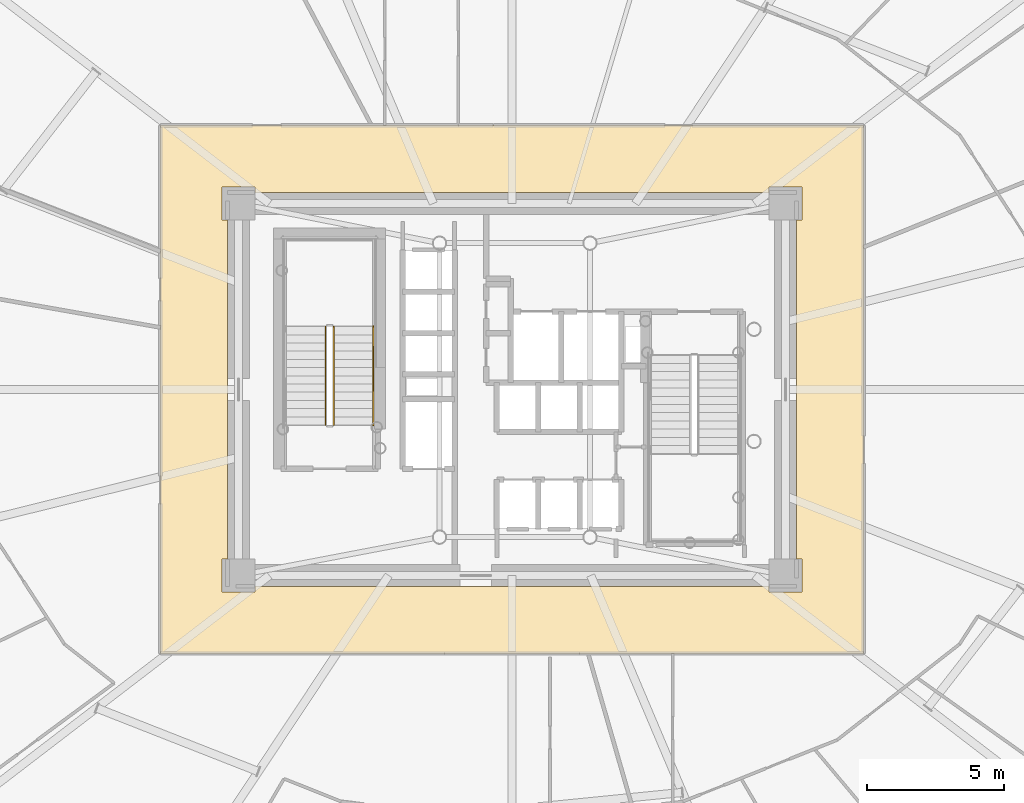
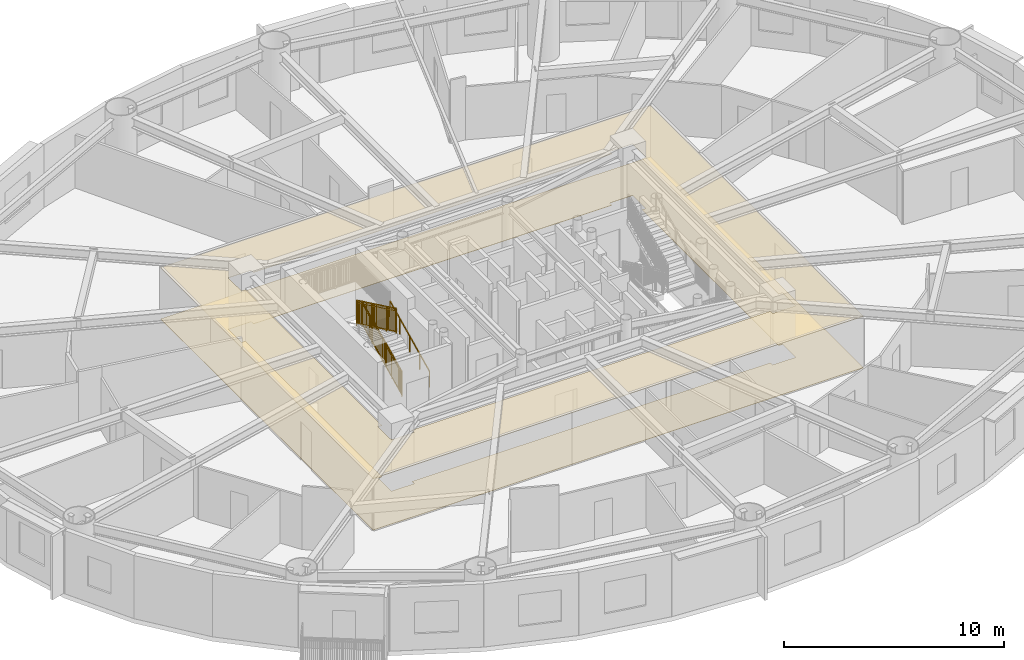
# One storey, part 18 of 22: 3 railings, 2 coverings.
"""IFC4 building model written with IfcOpenShell, lengths in metres."""

from ifc_helpers import new_model, si_unit, direction, frame, origin, origin_2d, place, context, subcontext, project, spatial, polyline, rectangle, outline, extrude, source, transform, mapped, material, layer, layer_set, type_object, element, save


model = new_model("IFC4")

# Units and contexts
model_context = context("Model", 3, precision=1e-05, world=origin(), true_north=direction((0.0, 1.0)))
body_context = subcontext(model_context, "Body", "Model", "MODEL_VIEW")
ifc_project = project(units=[si_unit("LENGTHUNIT", "METRE"), si_unit("AREAUNIT", "SQUARE_METRE"), si_unit("VOLUMEUNIT", "CUBIC_METRE"), si_unit("PLANEANGLEUNIT", "RADIAN"), si_unit("MASSUNIT", "GRAM", prefix="KILO")], contexts=[model_context])

# Site, building, storey
site_placement = place(None, origin())
site = spatial("IfcSite", under=ifc_project, at=site_placement, CompositionType="ELEMENT")
building_placement = place(site_placement, origin())
building = spatial("IfcBuilding", under=site, at=building_placement, Name="Linh Dai School and Residence Tower", CompositionType="ELEMENT")
storey_placement = place(building_placement, frame((0.0, 0.0, 130.949951171875)))
storey = spatial("IfcBuildingStorey", under=building, at=storey_placement, Name="L31", CompositionType="ELEMENT", Elevation=130.949951171875)

# Coverings
ifc_material_1 = material(Name="Mineral Fibre Acoustic Suspended Ceiling", Category="masonry")
ifc_layer_1 = layer(ifc_material_1, 0.02001953125)
ifc_layer_set_1 = layer_set([ifc_layer_1], Name="Mineral Fibre Acoustic Suspended Ceiling")
covering_type_1 = type_object("IfcCoveringType", Name="COV-CEIL-AC-20", PredefinedType="CEILING", material=ifc_layer_set_1)
covering_1_placement = place(storey_placement, frame((0.0, 0.0, 2.85009765625)))
element("IfcCovering", 1, at=covering_1_placement, inside=storey, type_object=covering_type_1, Name="L31 Residential Floor Corridor Suspended Ceiling", PredefinedType="CEILING", context=body_context, shape_type="SweptSolid", body=[
    extrude(outline(polyline([(48.85009765625, 36.64990234375), (48.85009765625, 17.35009765625), (23.14990234375, 17.35009765625), (23.14990234375, 36.64990234375), (48.85009765625, 36.64990234375)]), holes=[polyline([(26.60009765625, 34.199951171875), (26.60009765625, 34.39990234375), (25.39990234375, 34.39990234375), (25.39990234375, 33.199951171875), (25.60009765625, 33.199951171875), (25.60009765625, 20.800048828125), (25.39990234375, 20.800048828125), (25.39990234375, 19.60009765625), (26.60009765625, 19.60009765625), (26.60009765625, 19.800048828125), (45.39990234375, 19.800048828125), (45.39990234375, 19.60009765625), (46.60009765625, 19.60009765625), (46.60009765625, 20.800048828125), (46.39990234375, 20.800048828125), (46.39990234375, 33.199951171875), (46.60009765625, 33.199951171875), (46.60009765625, 34.39990234375), (45.39990234375, 34.39990234375), (45.39990234375, 34.199951171875), (26.60009765625, 34.199951171875)])]), origin(), (0.0, 0.0, 1.0), 0.02001953125),
])
ifc_material_2 = material(Name="Polished Terrazzo Floor Finish", Category="masonry")
ifc_layer_2 = layer(ifc_material_2, 0.02490234375)
ifc_layer_set_2 = layer_set([ifc_layer_2], Name="Polished Terrazzo Floor Finish")
covering_type_2 = type_object("IfcCoveringType", Name="COV-FLR-TRZ-25", PredefinedType="FLOORING", material=ifc_layer_set_2)
covering_2_placement = place(storey_placement, origin())
element("IfcCovering", 2, at=covering_2_placement, inside=storey, type_object=covering_type_2, Name="L31 Residential Floor Corridor Floor Finish", PredefinedType="FLOORING", context=body_context, shape_type="SweptSolid", body=[
    extrude(outline(polyline([(48.85009765625, 36.64990234375), (48.85009765625, 17.35009765625), (23.14990234375, 17.35009765625), (23.14990234375, 36.64990234375), (48.85009765625, 36.64990234375)]), holes=[polyline([(26.60009765625, 34.199951171875), (26.60009765625, 34.39990234375), (25.39990234375, 34.39990234375), (25.39990234375, 33.199951171875), (25.60009765625, 33.199951171875), (25.60009765625, 20.800048828125), (25.39990234375, 20.800048828125), (25.39990234375, 19.60009765625), (26.60009765625, 19.60009765625), (26.60009765625, 19.800048828125), (45.39990234375, 19.800048828125), (45.39990234375, 19.60009765625), (46.60009765625, 19.60009765625), (46.60009765625, 20.800048828125), (46.39990234375, 20.800048828125), (46.39990234375, 33.199951171875), (46.60009765625, 33.199951171875), (46.60009765625, 34.39990234375), (45.39990234375, 34.39990234375), (45.39990234375, 34.199951171875), (26.60009765625, 34.199951171875)])]), origin(), (0.0, 0.0, 1.0), 0.02001953125),
])

# Railings
ifc_material_3 = material(Name="Structural Steel S355JR", Category="steel")
railing_type_1 = type_object("IfcRailingType", Name="RL-ST-GUARD-1400", PredefinedType="GUARDRAIL", material=ifc_material_3)
shared_shape_1 = source(origin(), body_context, "Body", "SweptSolid", [
    extrude(rectangle(XDim=0.048095703125, YDim=0.048095703125, at=origin_2d()), frame((0.0, 0.0, 1.3759765625), z_axis=(0.0, 0.901262522062, 0.433273431364), x_axis=(-1.0, 0.0, 0.0)), (0.0, 0.0, 1.0), 3.994384765625),
    extrude(rectangle(XDim=0.048095703125, YDim=0.048095703125, at=origin_2d()), frame((0.0, 0.0, 0.10009765625), z_axis=(0.0, 0.901262522062, 0.433273431364), x_axis=(-1.0, 0.0, 0.0)), (0.0, 0.0, 1.0), 3.994384765625),
    extrude(rectangle(XDim=0.030029296875, YDim=0.030029296875, at=origin_2d()), frame((0.0, 0.0, 1.239990234375), z_axis=(0.0, 0.901262522062, 0.433273431364), x_axis=(-1.0, 0.0, 0.0)), (0.0, 0.0, 1.0), 3.994384765625),
    extrude(rectangle(XDim=0.02001953125, YDim=0.02001953125, at=origin_2d()), frame((0.0, 0.087890625, 0.142333984375)), (0.0, 0.0, 1.0), 1.251708984375),
    extrude(rectangle(XDim=0.02001953125, YDim=0.02001953125, at=origin_2d()), frame((0.0, 0.175537109375, 0.1845703125)), (0.0, 0.0, 1.0), 1.251708984375),
    extrude(rectangle(XDim=0.02001953125, YDim=0.02001953125, at=origin_2d()), frame((0.0, 0.263427734375, 0.226806640625)), (0.0, 0.0, 1.0), 1.251708984375),
    extrude(rectangle(XDim=0.02001953125, YDim=0.02001953125, at=origin_2d()), frame((0.0, 0.351318359375, 0.26904296875)), (0.0, 0.0, 1.0), 1.251708984375),
    extrude(rectangle(XDim=0.02001953125, YDim=0.02001953125, at=origin_2d()), frame((0.0, 0.43896484375, 0.311279296875)), (0.0, 0.0, 1.0), 1.251708984375),
    extrude(rectangle(XDim=0.02001953125, YDim=0.02001953125, at=origin_2d()), frame((0.0, 0.52685546875, 0.353271484375)), (0.0, 0.0, 1.0), 1.251708984375),
    extrude(rectangle(XDim=0.02001953125, YDim=0.02001953125, at=origin_2d()), frame((0.0, 0.61474609375, 0.3955078125)), (0.0, 0.0, 1.0), 1.251708984375),
    extrude(rectangle(XDim=0.02001953125, YDim=0.02001953125, at=origin_2d()), frame((0.0, 0.702392578125, 0.437744140625)), (0.0, 0.0, 1.0), 1.251708984375),
    extrude(rectangle(XDim=0.02001953125, YDim=0.02001953125, at=origin_2d()), frame((0.0, 0.790283203125, 0.47998046875)), (0.0, 0.0, 1.0), 1.251708984375),
    extrude(rectangle(XDim=0.02001953125, YDim=0.02001953125, at=origin_2d()), frame((0.0, 0.9658203125, 0.564453125)), (0.0, 0.0, 1.0), 1.251708984375),
    extrude(rectangle(XDim=0.02001953125, YDim=0.02001953125, at=origin_2d()), frame((0.0, 1.0537109375, 0.606689453125)), (0.0, 0.0, 1.0), 1.251708984375),
    extrude(rectangle(XDim=0.02001953125, YDim=0.02001953125, at=origin_2d()), frame((0.0, 1.1416015625, 0.64892578125)), (0.0, 0.0, 1.0), 1.251708984375),
    extrude(rectangle(XDim=0.02001953125, YDim=0.02001953125, at=origin_2d()), frame((0.0, 1.229248046875, 0.691162109375)), (0.0, 0.0, 1.0), 1.251708984375),
    extrude(rectangle(XDim=0.02001953125, YDim=0.02001953125, at=origin_2d()), frame((0.0, 1.317138671875, 0.7333984375)), (0.0, 0.0, 1.0), 1.251708984375),
    extrude(rectangle(XDim=0.02001953125, YDim=0.02001953125, at=origin_2d()), frame((0.0, 1.405029296875, 0.775390625)), (0.0, 0.0, 1.0), 1.251708984375),
    extrude(rectangle(XDim=0.02001953125, YDim=0.02001953125, at=origin_2d()), frame((0.0, 1.49267578125, 0.817626953125)), (0.0, 0.0, 1.0), 1.251708984375),
    extrude(rectangle(XDim=0.02001953125, YDim=0.02001953125, at=origin_2d()), frame((0.0, 1.58056640625, 0.85986328125)), (0.0, 0.0, 1.0), 1.251708984375),
    extrude(rectangle(XDim=0.02001953125, YDim=0.02001953125, at=origin_2d()), frame((0.0, 1.66845703125, 0.902099609375)), (0.0, 0.0, 1.0), 1.251708984375),
    extrude(rectangle(XDim=0.02001953125, YDim=0.02001953125, at=origin_2d()), frame((0.0, 1.756103515625, 0.9443359375)), (0.0, 0.0, 1.0), 1.251708984375),
    extrude(rectangle(XDim=0.02001953125, YDim=0.02001953125, at=origin_2d()), frame((0.0, 1.843994140625, 0.986572265625)), (0.0, 0.0, 1.0), 1.251708984375),
    extrude(rectangle(XDim=0.02001953125, YDim=0.02001953125, at=origin_2d()), frame((0.0, 1.931640625, 1.02880859375)), (0.0, 0.0, 1.0), 1.251708984375),
    extrude(rectangle(XDim=0.02001953125, YDim=0.02001953125, at=origin_2d()), frame((0.0, 2.01953125, 1.071044921875)), (0.0, 0.0, 1.0), 1.251708984375),
    extrude(rectangle(XDim=0.02001953125, YDim=0.02001953125, at=origin_2d()), frame((0.0, 2.107421875, 1.11328125)), (0.0, 0.0, 1.0), 1.251708984375),
    extrude(rectangle(XDim=0.02001953125, YDim=0.02001953125, at=origin_2d()), frame((0.0, 2.195068359375, 1.155517578125)), (0.0, 0.0, 1.0), 1.251708984375),
    extrude(rectangle(XDim=0.02001953125, YDim=0.02001953125, at=origin_2d()), frame((0.0, 2.282958984375, 1.197509765625)), (0.0, 0.0, 1.0), 1.251708984375),
    extrude(rectangle(XDim=0.02001953125, YDim=0.02001953125, at=origin_2d()), frame((0.0, 2.370849609375, 1.23974609375)), (0.0, 0.0, 1.0), 1.251708984375),
    extrude(rectangle(XDim=0.02001953125, YDim=0.02001953125, at=origin_2d()), frame((0.0, 2.45849609375, 1.281982421875)), (0.0, 0.0, 1.0), 1.251708984375),
    extrude(rectangle(XDim=0.02001953125, YDim=0.02001953125, at=origin_2d()), frame((0.0, 2.54638671875, 1.32421875)), (0.0, 0.0, 1.0), 1.251708984375),
    extrude(rectangle(XDim=0.02001953125, YDim=0.02001953125, at=origin_2d()), frame((0.0, 2.63427734375, 1.366455078125)), (0.0, 0.0, 1.0), 1.251708984375),
    extrude(rectangle(XDim=0.02001953125, YDim=0.02001953125, at=origin_2d()), frame((0.0, 2.809814453125, 1.450927734375)), (0.0, 0.0, 1.0), 1.251708984375),
    extrude(rectangle(XDim=0.02001953125, YDim=0.02001953125, at=origin_2d()), frame((0.0, 2.897705078125, 1.4931640625)), (0.0, 0.0, 1.0), 1.251708984375),
    extrude(rectangle(XDim=0.02001953125, YDim=0.02001953125, at=origin_2d()), frame((0.0, 2.9853515625, 1.535400390625)), (0.0, 0.0, 1.0), 1.251708984375),
    extrude(rectangle(XDim=0.02001953125, YDim=0.02001953125, at=origin_2d()), frame((0.0, 3.0732421875, 1.57763671875)), (0.0, 0.0, 1.0), 1.251708984375),
    extrude(rectangle(XDim=0.02001953125, YDim=0.02001953125, at=origin_2d()), frame((0.0, 3.1611328125, 1.61962890625)), (0.0, 0.0, 1.0), 1.251708984375),
    extrude(rectangle(XDim=0.02001953125, YDim=0.02001953125, at=origin_2d()), frame((0.0, 3.248779296875, 1.661865234375)), (0.0, 0.0, 1.0), 1.251708984375),
    extrude(rectangle(XDim=0.02001953125, YDim=0.02001953125, at=origin_2d()), frame((0.0, 3.336669921875, 1.7041015625)), (0.0, 0.0, 1.0), 1.251708984375),
    extrude(rectangle(XDim=0.02001953125, YDim=0.02001953125, at=origin_2d()), frame((0.0, 3.424560546875, 1.746337890625)), (0.0, 0.0, 1.0), 1.251708984375),
    extrude(rectangle(XDim=0.02001953125, YDim=0.02001953125, at=origin_2d()), frame((0.0, 3.51220703125, 1.78857421875)), (0.0, 0.0, 1.0), 1.251708984375),
    extrude(rectangle(XDim=0.0419921875, YDim=0.0419921875, at=origin_2d()), origin(), (0.0, 0.0, 1.0), 1.3759765625),
    extrude(rectangle(XDim=0.0419921875, YDim=0.0419921875, at=origin_2d()), frame((0.0, 0.89990234375, 0.4326171875)), (0.0, 0.0, 1.0), 1.3759765625),
    extrude(rectangle(XDim=0.0419921875, YDim=0.0419921875, at=origin_2d()), frame((0.0, 1.800048828125, 0.865234375)), (0.0, 0.0, 1.0), 1.3759765625),
    extrude(rectangle(XDim=0.0419921875, YDim=0.0419921875, at=origin_2d()), frame((0.0, 2.7001953125, 1.298095703125)), (0.0, 0.0, 1.0), 1.3759765625),
    extrude(rectangle(XDim=0.0419921875, YDim=0.0419921875, at=origin_2d()), frame((0.0, 3.60009765625, 1.730712890625)), (0.0, 0.0, 1.0), 1.3759765625),
])
railing_1_placement = place(storey_placement, frame((29.47998046875, 25.699951171875, 0.144287109375)))
element("IfcRailing", 3, at=railing_1_placement, inside=storey, type_object=railing_type_1, Name="L31 ST1 stair guard 1", PredefinedType="GUARDRAIL", context=body_context, shape_type="MappedRepresentation", body=[
    mapped(shared_shape_1, transform((0.0, 0.0, 0.0), x_axis=(1.0, 0.0, 0.0), y_axis=(0.0, 1.0, 0.0), z_axis=(0.0, 0.0, 1.0), scale=1.0)),
])
shared_shape_2 = source(origin(), body_context, "Body", "SweptSolid", [
    extrude(rectangle(XDim=0.048095703125, YDim=0.048095703125, at=origin_2d()), frame((0.0, 0.0, 1.3759765625), z_axis=(0.0, -0.901262522062, 0.433273431364), x_axis=(1.0, 0.0, 0.0)), (0.0, 0.0, 1.0), 3.994384765625),
    extrude(rectangle(XDim=0.048095703125, YDim=0.048095703125, at=origin_2d()), frame((0.0, 0.0, 0.10009765625), z_axis=(0.0, -0.901262522062, 0.433273431364), x_axis=(1.0, 0.0, 0.0)), (0.0, 0.0, 1.0), 3.994384765625),
    extrude(rectangle(XDim=0.030029296875, YDim=0.030029296875, at=origin_2d()), frame((0.0, 0.0, 1.239990234375), z_axis=(0.0, -0.901262522062, 0.433273431364), x_axis=(1.0, 0.0, 0.0)), (0.0, 0.0, 1.0), 3.994384765625),
    extrude(rectangle(XDim=0.02001953125, YDim=0.02001953125, at=origin_2d()), frame((0.0, -0.087890625, 0.142333984375)), (0.0, 0.0, 1.0), 1.251708984375),
    extrude(rectangle(XDim=0.02001953125, YDim=0.02001953125, at=origin_2d()), frame((0.0, -0.175537109375, 0.1845703125)), (0.0, 0.0, 1.0), 1.251708984375),
    extrude(rectangle(XDim=0.02001953125, YDim=0.02001953125, at=origin_2d()), frame((0.0, -0.263427734375, 0.226806640625)), (0.0, 0.0, 1.0), 1.251708984375),
    extrude(rectangle(XDim=0.02001953125, YDim=0.02001953125, at=origin_2d()), frame((0.0, -0.351318359375, 0.26904296875)), (0.0, 0.0, 1.0), 1.251708984375),
    extrude(rectangle(XDim=0.02001953125, YDim=0.02001953125, at=origin_2d()), frame((0.0, -0.43896484375, 0.311279296875)), (0.0, 0.0, 1.0), 1.251708984375),
    extrude(rectangle(XDim=0.02001953125, YDim=0.02001953125, at=origin_2d()), frame((0.0, -0.52685546875, 0.353271484375)), (0.0, 0.0, 1.0), 1.251708984375),
    extrude(rectangle(XDim=0.02001953125, YDim=0.02001953125, at=origin_2d()), frame((0.0, -0.61474609375, 0.3955078125)), (0.0, 0.0, 1.0), 1.251708984375),
    extrude(rectangle(XDim=0.02001953125, YDim=0.02001953125, at=origin_2d()), frame((0.0, -0.702392578125, 0.437744140625)), (0.0, 0.0, 1.0), 1.251708984375),
    extrude(rectangle(XDim=0.02001953125, YDim=0.02001953125, at=origin_2d()), frame((0.0, -0.790283203125, 0.47998046875)), (0.0, 0.0, 1.0), 1.251708984375),
    extrude(rectangle(XDim=0.02001953125, YDim=0.02001953125, at=origin_2d()), frame((0.0, -0.9658203125, 0.564453125)), (0.0, 0.0, 1.0), 1.251708984375),
    extrude(rectangle(XDim=0.02001953125, YDim=0.02001953125, at=origin_2d()), frame((0.0, -1.0537109375, 0.606689453125)), (0.0, 0.0, 1.0), 1.251708984375),
    extrude(rectangle(XDim=0.02001953125, YDim=0.02001953125, at=origin_2d()), frame((0.0, -1.1416015625, 0.64892578125)), (0.0, 0.0, 1.0), 1.251708984375),
    extrude(rectangle(XDim=0.02001953125, YDim=0.02001953125, at=origin_2d()), frame((0.0, -1.229248046875, 0.691162109375)), (0.0, 0.0, 1.0), 1.251708984375),
    extrude(rectangle(XDim=0.02001953125, YDim=0.02001953125, at=origin_2d()), frame((0.0, -1.317138671875, 0.7333984375)), (0.0, 0.0, 1.0), 1.251708984375),
    extrude(rectangle(XDim=0.02001953125, YDim=0.02001953125, at=origin_2d()), frame((0.0, -1.405029296875, 0.775390625)), (0.0, 0.0, 1.0), 1.251708984375),
    extrude(rectangle(XDim=0.02001953125, YDim=0.02001953125, at=origin_2d()), frame((0.0, -1.49267578125, 0.817626953125)), (0.0, 0.0, 1.0), 1.251708984375),
    extrude(rectangle(XDim=0.02001953125, YDim=0.02001953125, at=origin_2d()), frame((0.0, -1.58056640625, 0.85986328125)), (0.0, 0.0, 1.0), 1.251708984375),
    extrude(rectangle(XDim=0.02001953125, YDim=0.02001953125, at=origin_2d()), frame((0.0, -1.66845703125, 0.902099609375)), (0.0, 0.0, 1.0), 1.251708984375),
    extrude(rectangle(XDim=0.02001953125, YDim=0.02001953125, at=origin_2d()), frame((0.0, -1.756103515625, 0.9443359375)), (0.0, 0.0, 1.0), 1.251708984375),
    extrude(rectangle(XDim=0.02001953125, YDim=0.02001953125, at=origin_2d()), frame((0.0, -1.843994140625, 0.986572265625)), (0.0, 0.0, 1.0), 1.251708984375),
    extrude(rectangle(XDim=0.02001953125, YDim=0.02001953125, at=origin_2d()), frame((0.0, -1.931640625, 1.02880859375)), (0.0, 0.0, 1.0), 1.251708984375),
    extrude(rectangle(XDim=0.02001953125, YDim=0.02001953125, at=origin_2d()), frame((0.0, -2.01953125, 1.071044921875)), (0.0, 0.0, 1.0), 1.251708984375),
    extrude(rectangle(XDim=0.02001953125, YDim=0.02001953125, at=origin_2d()), frame((0.0, -2.107421875, 1.11328125)), (0.0, 0.0, 1.0), 1.251708984375),
    extrude(rectangle(XDim=0.02001953125, YDim=0.02001953125, at=origin_2d()), frame((0.0, -2.195068359375, 1.155517578125)), (0.0, 0.0, 1.0), 1.251708984375),
    extrude(rectangle(XDim=0.02001953125, YDim=0.02001953125, at=origin_2d()), frame((0.0, -2.282958984375, 1.197509765625)), (0.0, 0.0, 1.0), 1.251708984375),
    extrude(rectangle(XDim=0.02001953125, YDim=0.02001953125, at=origin_2d()), frame((0.0, -2.370849609375, 1.23974609375)), (0.0, 0.0, 1.0), 1.251708984375),
    extrude(rectangle(XDim=0.02001953125, YDim=0.02001953125, at=origin_2d()), frame((0.0, -2.45849609375, 1.281982421875)), (0.0, 0.0, 1.0), 1.251708984375),
    extrude(rectangle(XDim=0.02001953125, YDim=0.02001953125, at=origin_2d()), frame((0.0, -2.54638671875, 1.32421875)), (0.0, 0.0, 1.0), 1.251708984375),
    extrude(rectangle(XDim=0.02001953125, YDim=0.02001953125, at=origin_2d()), frame((0.0, -2.63427734375, 1.366455078125)), (0.0, 0.0, 1.0), 1.251708984375),
    extrude(rectangle(XDim=0.02001953125, YDim=0.02001953125, at=origin_2d()), frame((0.0, -2.809814453125, 1.450927734375)), (0.0, 0.0, 1.0), 1.251708984375),
    extrude(rectangle(XDim=0.02001953125, YDim=0.02001953125, at=origin_2d()), frame((0.0, -2.897705078125, 1.4931640625)), (0.0, 0.0, 1.0), 1.251708984375),
    extrude(rectangle(XDim=0.02001953125, YDim=0.02001953125, at=origin_2d()), frame((0.0, -2.9853515625, 1.535400390625)), (0.0, 0.0, 1.0), 1.251708984375),
    extrude(rectangle(XDim=0.02001953125, YDim=0.02001953125, at=origin_2d()), frame((0.0, -3.0732421875, 1.57763671875)), (0.0, 0.0, 1.0), 1.251708984375),
    extrude(rectangle(XDim=0.02001953125, YDim=0.02001953125, at=origin_2d()), frame((0.0, -3.1611328125, 1.61962890625)), (0.0, 0.0, 1.0), 1.251708984375),
    extrude(rectangle(XDim=0.02001953125, YDim=0.02001953125, at=origin_2d()), frame((0.0, -3.248779296875, 1.661865234375)), (0.0, 0.0, 1.0), 1.251708984375),
    extrude(rectangle(XDim=0.02001953125, YDim=0.02001953125, at=origin_2d()), frame((0.0, -3.336669921875, 1.7041015625)), (0.0, 0.0, 1.0), 1.251708984375),
    extrude(rectangle(XDim=0.02001953125, YDim=0.02001953125, at=origin_2d()), frame((0.0, -3.424560546875, 1.746337890625)), (0.0, 0.0, 1.0), 1.251708984375),
    extrude(rectangle(XDim=0.02001953125, YDim=0.02001953125, at=origin_2d()), frame((0.0, -3.51220703125, 1.78857421875)), (0.0, 0.0, 1.0), 1.251708984375),
    extrude(rectangle(XDim=0.0419921875, YDim=0.0419921875, at=origin_2d()), origin(), (0.0, 0.0, 1.0), 1.3759765625),
    extrude(rectangle(XDim=0.0419921875, YDim=0.0419921875, at=origin_2d()), frame((0.0, -0.89990234375, 0.4326171875)), (0.0, 0.0, 1.0), 1.3759765625),
    extrude(rectangle(XDim=0.0419921875, YDim=0.0419921875, at=origin_2d()), frame((0.0, -1.800048828125, 0.865234375)), (0.0, 0.0, 1.0), 1.3759765625),
    extrude(rectangle(XDim=0.0419921875, YDim=0.0419921875, at=origin_2d()), frame((0.0, -2.7001953125, 1.298095703125)), (0.0, 0.0, 1.0), 1.3759765625),
    extrude(rectangle(XDim=0.0419921875, YDim=0.0419921875, at=origin_2d()), frame((0.0, -3.60009765625, 1.730712890625)), (0.0, 0.0, 1.0), 1.3759765625),
])
railing_2_placement = place(storey_placement, frame((29.179931640625, 29.300048828125, 2.019287109375)))
element("IfcRailing", 4, at=railing_2_placement, inside=storey, type_object=railing_type_1, Name="L31 ST1 stair guard 6", PredefinedType="GUARDRAIL", context=body_context, shape_type="MappedRepresentation", body=[
    mapped(shared_shape_2, transform((0.0, 0.0, 0.0), x_axis=(1.0, 0.0, 0.0), y_axis=(0.0, 1.0, 0.0), z_axis=(0.0, 0.0, 1.0), scale=1.0)),
])
ifc_material_4 = material(Name="Brushed Stainless Steel Handrail", Category="steel")
railing_type_2 = type_object("IfcRailingType", Name="RL-ST-HANDRAIL-900", PredefinedType="HANDRAIL", material=ifc_material_4)
shared_shape_3 = source(origin(), body_context, "Body", "SweptSolid", [
    extrude(rectangle(XDim=0.048095703125, YDim=0.048095703125, at=origin_2d()), frame((0.0, 0.0, 0.8759765625), z_axis=(0.0, 0.901262522062, 0.433273431364), x_axis=(-1.0, 0.0, 0.0)), (0.0, 0.0, 1.0), 3.994384765625),
    extrude(rectangle(XDim=0.0419921875, YDim=0.0419921875, at=origin_2d()), origin(), (0.0, 0.0, 1.0), 0.8759765625),
    extrude(rectangle(XDim=0.0419921875, YDim=0.0419921875, at=origin_2d()), frame((0.0, 0.89990234375, 0.4326171875)), (0.0, 0.0, 1.0), 0.8759765625),
    extrude(rectangle(XDim=0.0419921875, YDim=0.0419921875, at=origin_2d()), frame((0.0, 1.800048828125, 0.865234375)), (0.0, 0.0, 1.0), 0.8759765625),
    extrude(rectangle(XDim=0.0419921875, YDim=0.0419921875, at=origin_2d()), frame((0.0, 2.7001953125, 1.298095703125)), (0.0, 0.0, 1.0), 0.8759765625),
    extrude(rectangle(XDim=0.0419921875, YDim=0.0419921875, at=origin_2d()), frame((0.0, 3.60009765625, 1.730712890625)), (0.0, 0.0, 1.0), 0.8759765625),
])
railing_3_placement = place(storey_placement, frame((30.929931640625, 25.699951171875, 0.144287109375)))
element("IfcRailing", 5, at=railing_3_placement, inside=storey, type_object=railing_type_2, Name="L31 ST1 stair handrail 1", PredefinedType="HANDRAIL", context=body_context, shape_type="MappedRepresentation", body=[
    mapped(shared_shape_3, transform((0.0, 0.0, 0.0), x_axis=(1.0, 0.0, 0.0), y_axis=(0.0, 1.0, 0.0), z_axis=(0.0, 0.0, 1.0), scale=1.0)),
])

save(model, "model.ifc")
